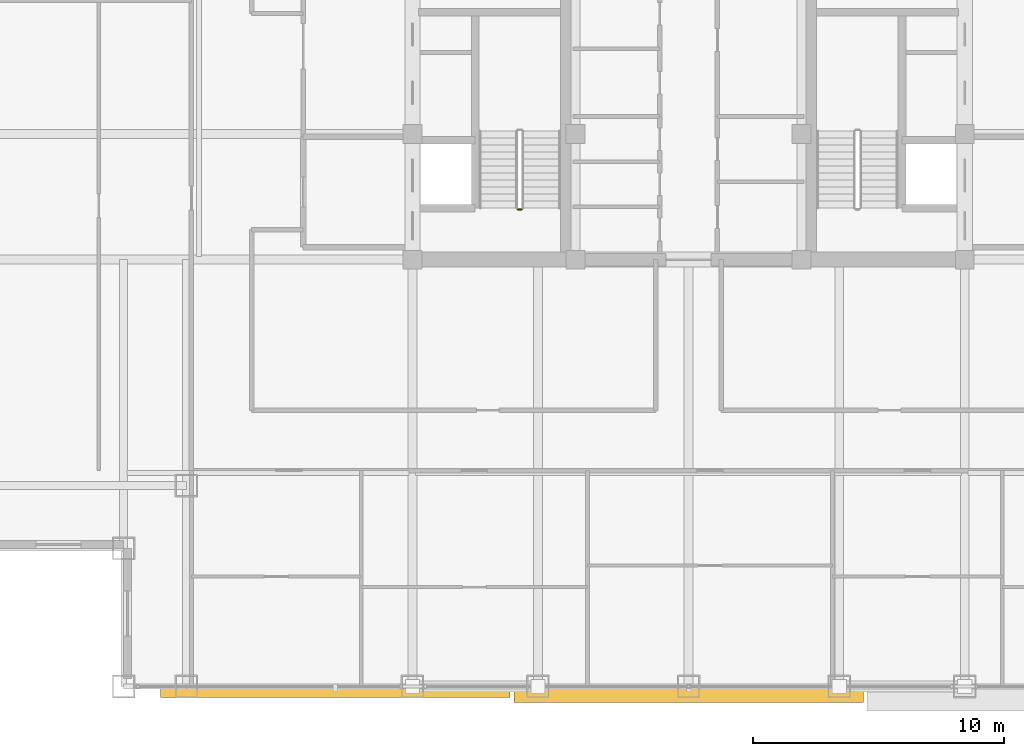
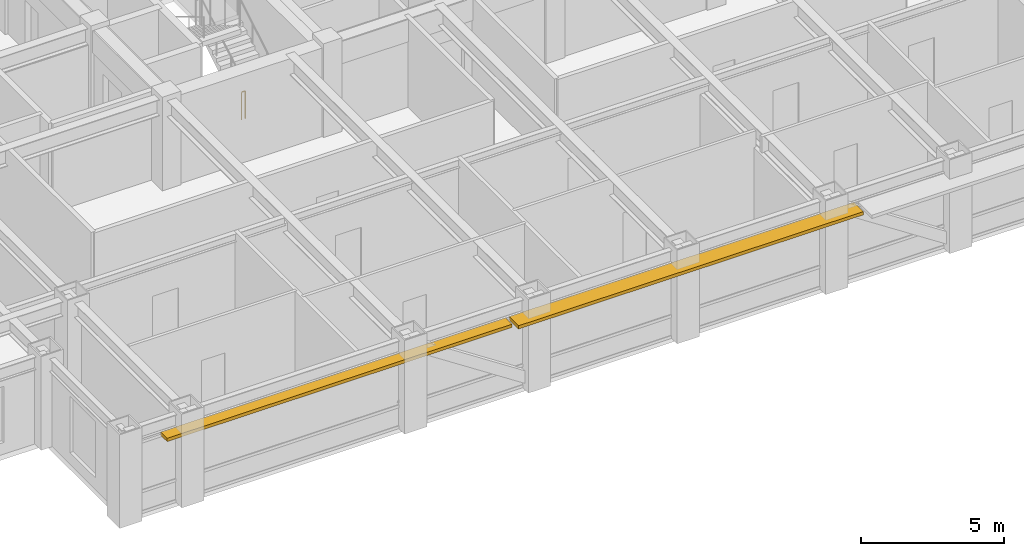
# One storey, part 23 of 27: 2 shading devices, 1 railing.
"""IFC4 building model written with IfcOpenShell, lengths in metres."""

from ifc_helpers import new_model, si_unit, direction, frame, origin, origin_2d, place, context, subcontext, project, spatial, rectangle, circle, extrude, source, transform, mapped, material, layer, layer_set, type_object, element, save


model = new_model("IFC4")

# Units and contexts
model_context = context("Model", 3, precision=1e-05, world=origin(), true_north=direction((0.0, 1.0)))
body_context = subcontext(model_context, "Body", "Model", "MODEL_VIEW")
ifc_project = project(units=[si_unit("LENGTHUNIT", "METRE"), si_unit("AREAUNIT", "SQUARE_METRE"), si_unit("VOLUMEUNIT", "CUBIC_METRE"), si_unit("PLANEANGLEUNIT", "RADIAN"), si_unit("MASSUNIT", "GRAM", prefix="KILO")], contexts=[model_context])

# Site, building, storey
site_placement = place(None, origin())
site = spatial("IfcSite", under=ifc_project, at=site_placement, CompositionType="ELEMENT")
building_placement = place(site_placement, origin())
building = spatial("IfcBuilding", under=site, at=building_placement, Name="Khorayat Bourse Tower", CompositionType="ELEMENT")
storey_placement = place(building_placement, frame((0.0, 0.0, 281.5)))
storey = spatial("IfcBuildingStorey", under=building, at=storey_placement, Name="L66", CompositionType="ELEMENT", Elevation=281.5)

# Shading devices
ifc_material_1 = material(Name="Precast concrete C45/55", Category="concrete")
ifc_layer = layer(ifc_material_1, 0.139892578125)
ifc_layer_set = layer_set([ifc_layer], Name="Precast concrete C45/55")
shading_device_type = type_object("IfcShadingDeviceType", Name="SHD-WAVE-TRAY-B", PredefinedType="USERDEFINED", material=ifc_layer_set)
shared_shape_1 = source(origin(), body_context, "Body", "SweptSolid", [
    extrude(rectangle(XDim=13.9267578125, YDim=0.461669921875, at=origin_2d()), origin(), (0.0, 0.0, 1.0), 0.139892578125),
])
shading_device_1_placement = place(storey_placement, frame((-14.066650390625, -28.2109375, 3.0302734375), z_axis=(0.0, 0.0, 1.0), x_axis=(1.0, 0.0, 0.0)))
element("IfcShadingDevice", 1, at=shading_device_1_placement, inside=storey, type_object=shading_device_type, Name="L66 Sinusoidal Wave Sunshade Tray S-1", ObjectType="SUNSHADE", PredefinedType="USERDEFINED", context=body_context, shape_type="MappedRepresentation", body=[
    mapped(shared_shape_1, transform((0.0, 0.0, 0.0), scale=1.0)),
])
shared_shape_2 = source(origin(), body_context, "Body", "SweptSolid", [
    extrude(rectangle(XDim=13.9267578125, YDim=0.6611328125, at=origin_2d()), origin(), (0.0, 0.0, 1.0), 0.139892578125),
])
shading_device_2_placement = place(storey_placement, frame((0.0, -28.310546875, 3.0302734375), z_axis=(0.0, 0.0, 1.0), x_axis=(1.0, 0.0, 0.0)))
element("IfcShadingDevice", 2, at=shading_device_2_placement, inside=storey, type_object=shading_device_type, Name="L66 Sinusoidal Wave Sunshade Tray S-2", ObjectType="SUNSHADE", PredefinedType="USERDEFINED", context=body_context, shape_type="MappedRepresentation", body=[
    mapped(shared_shape_2, transform((0.0, 0.0, 0.0), scale=1.0)),
])

# Railing
ifc_material_2 = material(Name="Powder-coated steel balustrade", Category="steel")
railing_type = type_object("IfcRailingType", Name="RLG-GUARD-1200", PredefinedType="GUARDRAIL", material=ifc_material_2)
shared_shape_3 = source(origin(), body_context, "Body", "SweptSolid", [
    extrude(circle(Radius=0.02392578125, at=origin_2d()), frame((0.0, 0.0, 1.17578125), z_axis=(-1.0, 0.0, 0.0), x_axis=(0.0, -1.0, 0.0)), (0.0, 0.0, 1.0), 0.150146484375),
    extrude(circle(Radius=0.02099609375, at=origin_2d()), origin(), (0.0, 0.0, 1.0), 1.15185546875),
    extrude(circle(Radius=0.02099609375, at=origin_2d()), frame((-0.150146484375, 0.0, 0.0)), (0.0, 0.0, 1.0), 1.15185546875),
])
railing_placement = place(storey_placement, frame((-6.64990234375, -9.0, 0.0)))
element("IfcRailing", 3, at=railing_placement, inside=storey, type_object=railing_type, Name="L66 ST-1 stair guard 4", PredefinedType="GUARDRAIL", context=body_context, shape_type="MappedRepresentation", body=[
    mapped(shared_shape_3, transform((0.0, 0.0, 0.0), scale=1.0)),
])

save(model, "model.ifc")
